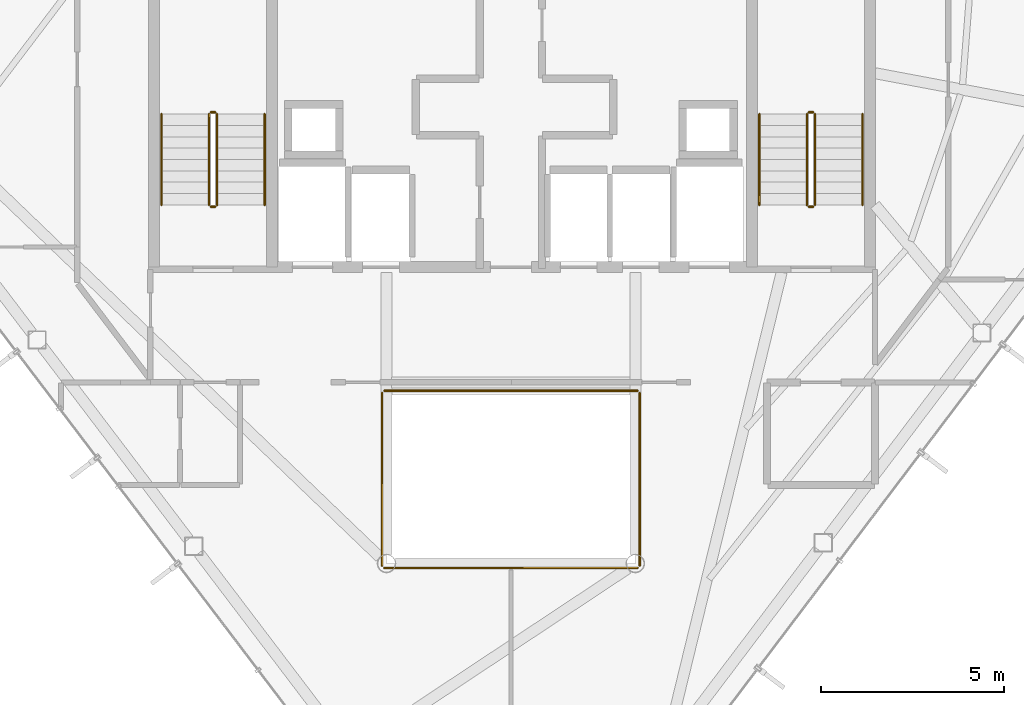
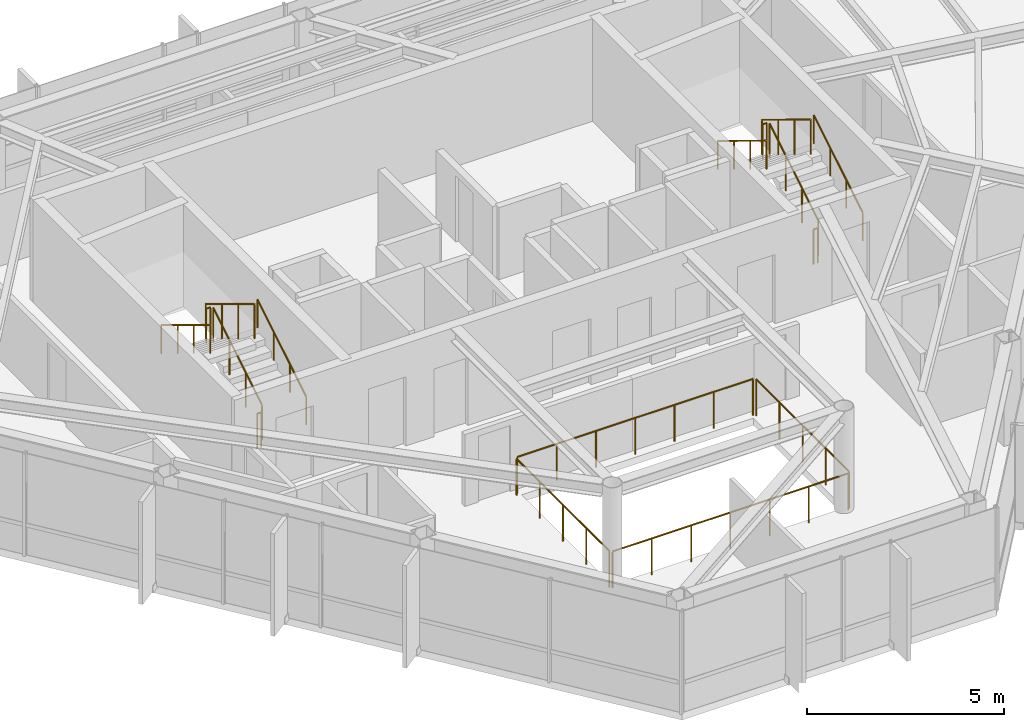
# One storey, part 24 of 24: 16 railings.
"""IFC4 building model written with IfcOpenShell, lengths in metres."""

from ifc_helpers import new_model, si_unit, direction, frame, origin, origin_2d, place, context, subcontext, project, spatial, circle, extrude, material, type_object, element, save


model = new_model("IFC4")

# Units and contexts
model_context = context("Model", 3, precision=1e-05, world=origin(), true_north=direction((0.0, 1.0)))
body_context = subcontext(model_context, "Body", "Model", "MODEL_VIEW")
ifc_project = project(units=[si_unit("LENGTHUNIT", "METRE"), si_unit("AREAUNIT", "SQUARE_METRE"), si_unit("VOLUMEUNIT", "CUBIC_METRE"), si_unit("PLANEANGLEUNIT", "RADIAN"), si_unit("MASSUNIT", "GRAM", prefix="KILO")], contexts=[model_context])

# Site, building, storey
site_placement = place(None, origin())
site = spatial("IfcSite", under=ifc_project, at=site_placement, CompositionType="ELEMENT")
building_placement = place(site_placement, origin())
building = spatial("IfcBuilding", under=site, at=building_placement, Name="Zarrinselat Tower", CompositionType="ELEMENT")
storey_placement = place(building_placement, frame((0.0, 0.0, 272.0)))
storey = spatial("IfcBuildingStorey", under=building, at=storey_placement, Name="L69", CompositionType="ELEMENT", Elevation=272.0)

# Railings
ifc_material_1 = material(Name="Double Low-E Laminated Solar Glass", Category="glass")
railing_type_1 = type_object("IfcRailingType", Name="RLG-ATRIUM-BAL", PredefinedType="BALUSTRADE", material=ifc_material_1)
railing_1_placement = place(storey_placement, frame((34.93994140625, 25.080078125, 0.0)))
element("IfcRailing", 1, at=railing_1_placement, inside=storey, type_object=railing_type_1, Name="L69 Atrium Void Glass Balustrade S", PredefinedType="BALUSTRADE", context=body_context, shape_type="SweptSolid", body=[
    extrude(circle(Radius=0.02392578125, at=origin_2d()), frame((0.0, 0.0, 1.1259765625), z_axis=(1.0, 0.0, 0.0), x_axis=(0.0, 1.0, 0.0)), (0.0, 0.0, 1.0), 6.920166015625),
    extrude(circle(Radius=0.02099609375, at=origin_2d()), origin(), (0.0, 0.0, 1.0), 1.099853515625),
    extrude(circle(Radius=0.02099609375, at=origin_2d()), frame((1.1533203125, 0.0, 0.0)), (0.0, 0.0, 1.0), 1.099853515625),
    extrude(circle(Radius=0.02099609375, at=origin_2d()), frame((2.306640625, 0.0, 0.0)), (0.0, 0.0, 1.0), 1.099853515625),
    extrude(circle(Radius=0.02099609375, at=origin_2d()), frame((3.4599609375, 0.0, 0.0)), (0.0, 0.0, 1.0), 1.099853515625),
    extrude(circle(Radius=0.02099609375, at=origin_2d()), frame((4.613525390625, 0.0, 0.0)), (0.0, 0.0, 1.0), 1.099853515625),
    extrude(circle(Radius=0.02099609375, at=origin_2d()), frame((5.766845703125, 0.0, 0.0)), (0.0, 0.0, 1.0), 1.099853515625),
    extrude(circle(Radius=0.02099609375, at=origin_2d()), frame((6.920166015625, 0.0, 0.0)), (0.0, 0.0, 1.0), 1.099853515625),
])
railing_2_placement = place(storey_placement, frame((41.919921875, 25.139892578125, 0.0)))
element("IfcRailing", 2, at=railing_2_placement, inside=storey, type_object=railing_type_1, Name="L69 Atrium Void Glass Balustrade E", PredefinedType="BALUSTRADE", context=body_context, shape_type="SweptSolid", body=[
    extrude(circle(Radius=0.02392578125, at=origin_2d()), frame((0.0, 0.0, 1.1259765625), z_axis=(0.0, 1.0, 0.0), x_axis=(-1.0, 0.0, 0.0)), (0.0, 0.0, 1.0), 4.72021484375),
    extrude(circle(Radius=0.02099609375, at=origin_2d()), origin(), (0.0, 0.0, 1.0), 1.099853515625),
    extrude(circle(Radius=0.02099609375, at=origin_2d()), frame((0.0, 1.18017578125, 0.0)), (0.0, 0.0, 1.0), 1.099853515625),
    extrude(circle(Radius=0.02099609375, at=origin_2d()), frame((0.0, 2.360107421875, 0.0)), (0.0, 0.0, 1.0), 1.099853515625),
    extrude(circle(Radius=0.02099609375, at=origin_2d()), frame((0.0, 3.5400390625, 0.0)), (0.0, 0.0, 1.0), 1.099853515625),
    extrude(circle(Radius=0.02099609375, at=origin_2d()), frame((0.0, 4.72021484375, 0.0)), (0.0, 0.0, 1.0), 1.099853515625),
])
railing_3_placement = place(storey_placement, frame((41.860107421875, 29.919921875, 0.0)))
element("IfcRailing", 3, at=railing_3_placement, inside=storey, type_object=railing_type_1, Name="L69 Atrium Void Glass Balustrade N", PredefinedType="BALUSTRADE", context=body_context, shape_type="SweptSolid", body=[
    extrude(circle(Radius=0.02392578125, at=origin_2d()), frame((0.0, 0.0, 1.1259765625), z_axis=(-1.0, 0.0, 0.0), x_axis=(0.0, -1.0, 0.0)), (0.0, 0.0, 1.0), 6.920166015625),
    extrude(circle(Radius=0.02099609375, at=origin_2d()), origin(), (0.0, 0.0, 1.0), 1.099853515625),
    extrude(circle(Radius=0.02099609375, at=origin_2d()), frame((-1.1533203125, 0.0, 0.0)), (0.0, 0.0, 1.0), 1.099853515625),
    extrude(circle(Radius=0.02099609375, at=origin_2d()), frame((-2.306640625, 0.0, 0.0)), (0.0, 0.0, 1.0), 1.099853515625),
    extrude(circle(Radius=0.02099609375, at=origin_2d()), frame((-3.4599609375, 0.0, 0.0)), (0.0, 0.0, 1.0), 1.099853515625),
    extrude(circle(Radius=0.02099609375, at=origin_2d()), frame((-4.613525390625, 0.0, 0.0)), (0.0, 0.0, 1.0), 1.099853515625),
    extrude(circle(Radius=0.02099609375, at=origin_2d()), frame((-5.766845703125, 0.0, 0.0)), (0.0, 0.0, 1.0), 1.099853515625),
    extrude(circle(Radius=0.02099609375, at=origin_2d()), frame((-6.920166015625, 0.0, 0.0)), (0.0, 0.0, 1.0), 1.099853515625),
])
railing_4_placement = place(storey_placement, frame((34.8798828125, 29.860107421875, 0.0)))
element("IfcRailing", 4, at=railing_4_placement, inside=storey, type_object=railing_type_1, Name="L69 Atrium Void Glass Balustrade W", PredefinedType="BALUSTRADE", context=body_context, shape_type="SweptSolid", body=[
    extrude(circle(Radius=0.02392578125, at=origin_2d()), frame((0.0, 0.0, 1.1259765625), z_axis=(0.0, -1.0, 0.0), x_axis=(1.0, 0.0, 0.0)), (0.0, 0.0, 1.0), 4.72021484375),
    extrude(circle(Radius=0.02099609375, at=origin_2d()), origin(), (0.0, 0.0, 1.0), 1.099853515625),
    extrude(circle(Radius=0.02099609375, at=origin_2d()), frame((0.0, -1.18017578125, 0.0)), (0.0, 0.0, 1.0), 1.099853515625),
    extrude(circle(Radius=0.02099609375, at=origin_2d()), frame((0.0, -2.360107421875, 0.0)), (0.0, 0.0, 1.0), 1.099853515625),
    extrude(circle(Radius=0.02099609375, at=origin_2d()), frame((0.0, -3.5400390625, 0.0)), (0.0, 0.0, 1.0), 1.099853515625),
    extrude(circle(Radius=0.02099609375, at=origin_2d()), frame((0.0, -4.72021484375, 0.0)), (0.0, 0.0, 1.0), 1.099853515625),
])
ifc_material_2 = material(Name="Steel S355J2", Category="steel")
railing_type_2 = type_object("IfcRailingType", Name="RLG-STAIR-GUARD", PredefinedType="GUARDRAIL", material=ifc_material_2)
railing_5_placement = place(storey_placement, frame((30.3701171875, 35.0, 0.18896484375)))
element("IfcRailing", 5, at=railing_5_placement, inside=storey, type_object=railing_type_2, Name="L69 ST-1 stair guard 1", PredefinedType="GUARDRAIL", context=body_context, shape_type="SweptSolid", body=[
    extrude(circle(Radius=0.02392578125, at=origin_2d()), frame((0.0, 0.0, 1.076171875), z_axis=(0.0, 0.8539793189, 0.520306950647), x_axis=(-1.0, 0.0, 0.0)), (0.0, 0.0, 1.0), 2.904052734375),
    extrude(circle(Radius=0.02099609375, at=origin_2d()), origin(), (0.0, 0.0, 1.0), 1.050048828125),
    extrude(circle(Radius=0.02099609375, at=origin_2d()), frame((0.0, 0.82666015625, 0.503662109375)), (0.0, 0.0, 1.0), 1.050048828125),
    extrude(circle(Radius=0.02099609375, at=origin_2d()), frame((0.0, 1.6533203125, 1.00732421875)), (0.0, 0.0, 1.0), 1.050048828125),
    extrude(circle(Radius=0.02099609375, at=origin_2d()), frame((0.0, 2.47998046875, 1.510986328125)), (0.0, 0.0, 1.0), 1.050048828125),
])
railing_6_placement = place(storey_placement, frame((30.320068359375, 37.530029296875, 1.699951171875)))
element("IfcRailing", 6, at=railing_6_placement, inside=storey, type_object=railing_type_2, Name="L69 ST-1 stair guard 2", PredefinedType="GUARDRAIL", context=body_context, shape_type="SweptSolid", body=[
    extrude(circle(Radius=0.02392578125, at=origin_2d()), frame((0.0, 0.0, 1.076171875), z_axis=(-1.0, 0.0, 0.0), x_axis=(0.0, -1.0, 0.0)), (0.0, 0.0, 1.0), 0.1201171875),
    extrude(circle(Radius=0.02099609375, at=origin_2d()), origin(), (0.0, 0.0, 1.0), 1.050048828125),
    extrude(circle(Radius=0.02099609375, at=origin_2d()), frame((-0.1201171875, 0.0, 0.0)), (0.0, 0.0, 1.0), 1.050048828125),
])
railing_7_placement = place(storey_placement, frame((30.14990234375, 37.47998046875, 1.888916015625)))
element("IfcRailing", 7, at=railing_7_placement, inside=storey, type_object=railing_type_2, Name="L69 ST-1 stair guard 3", PredefinedType="GUARDRAIL", context=body_context, shape_type="SweptSolid", body=[
    extrude(circle(Radius=0.02392578125, at=origin_2d()), frame((0.0, 0.0, 1.076171875), z_axis=(0.0, -0.8539793189, 0.520306950647), x_axis=(1.0, 0.0, 0.0)), (0.0, 0.0, 1.0), 2.904052734375),
    extrude(circle(Radius=0.02099609375, at=origin_2d()), origin(), (0.0, 0.0, 1.0), 1.050048828125),
    extrude(circle(Radius=0.02099609375, at=origin_2d()), frame((0.0, -0.82666015625, 0.503662109375)), (0.0, 0.0, 1.0), 1.050048828125),
    extrude(circle(Radius=0.02099609375, at=origin_2d()), frame((0.0, -1.6533203125, 1.00732421875)), (0.0, 0.0, 1.0), 1.050048828125),
    extrude(circle(Radius=0.02099609375, at=origin_2d()), frame((0.0, -2.47998046875, 1.510986328125)), (0.0, 0.0, 1.0), 1.050048828125),
])
railing_8_placement = place(storey_placement, frame((30.320068359375, 34.949951171875, 0.0)))
element("IfcRailing", 8, at=railing_8_placement, inside=storey, type_object=railing_type_2, Name="L69 ST-1 stair guard 4", PredefinedType="GUARDRAIL", context=body_context, shape_type="SweptSolid", body=[
    extrude(circle(Radius=0.02392578125, at=origin_2d()), frame((0.0, 0.0, 1.076171875), z_axis=(-1.0, 0.0, 0.0), x_axis=(0.0, -1.0, 0.0)), (0.0, 0.0, 1.0), 0.1201171875),
    extrude(circle(Radius=0.02099609375, at=origin_2d()), origin(), (0.0, 0.0, 1.0), 1.050048828125),
    extrude(circle(Radius=0.02099609375, at=origin_2d()), frame((-0.1201171875, 0.0, 0.0)), (0.0, 0.0, 1.0), 1.050048828125),
])
railing_9_placement = place(storey_placement, frame((46.7099609375, 35.0, 0.18896484375)))
element("IfcRailing", 9, at=railing_9_placement, inside=storey, type_object=railing_type_2, Name="L69 ST-2 stair guard 1", PredefinedType="GUARDRAIL", context=body_context, shape_type="SweptSolid", body=[
    extrude(circle(Radius=0.02392578125, at=origin_2d()), frame((0.0, 0.0, 1.076171875), z_axis=(0.0, 0.8539793189, 0.520306950647), x_axis=(-1.0, 0.0, 0.0)), (0.0, 0.0, 1.0), 2.904052734375),
    extrude(circle(Radius=0.02099609375, at=origin_2d()), origin(), (0.0, 0.0, 1.0), 1.050048828125),
    extrude(circle(Radius=0.02099609375, at=origin_2d()), frame((0.0, 0.82666015625, 0.503662109375)), (0.0, 0.0, 1.0), 1.050048828125),
    extrude(circle(Radius=0.02099609375, at=origin_2d()), frame((0.0, 1.6533203125, 1.00732421875)), (0.0, 0.0, 1.0), 1.050048828125),
    extrude(circle(Radius=0.02099609375, at=origin_2d()), frame((0.0, 2.47998046875, 1.510986328125)), (0.0, 0.0, 1.0), 1.050048828125),
])
railing_10_placement = place(storey_placement, frame((46.659912109375, 37.530029296875, 1.699951171875)))
element("IfcRailing", 10, at=railing_10_placement, inside=storey, type_object=railing_type_2, Name="L69 ST-2 stair guard 2", PredefinedType="GUARDRAIL", context=body_context, shape_type="SweptSolid", body=[
    extrude(circle(Radius=0.02392578125, at=origin_2d()), frame((0.0, 0.0, 1.076171875), z_axis=(-1.0, 0.0, 0.0), x_axis=(0.0, -1.0, 0.0)), (0.0, 0.0, 1.0), 0.119873046875),
    extrude(circle(Radius=0.02099609375, at=origin_2d()), origin(), (0.0, 0.0, 1.0), 1.050048828125),
    extrude(circle(Radius=0.02099609375, at=origin_2d()), frame((-0.119873046875, 0.0, 0.0)), (0.0, 0.0, 1.0), 1.050048828125),
])
railing_11_placement = place(storey_placement, frame((46.489990234375, 37.47998046875, 1.888916015625)))
element("IfcRailing", 11, at=railing_11_placement, inside=storey, type_object=railing_type_2, Name="L69 ST-2 stair guard 3", PredefinedType="GUARDRAIL", context=body_context, shape_type="SweptSolid", body=[
    extrude(circle(Radius=0.02392578125, at=origin_2d()), frame((0.0, 0.0, 1.076171875), z_axis=(0.0, -0.8539793189, 0.520306950647), x_axis=(1.0, 0.0, 0.0)), (0.0, 0.0, 1.0), 2.904052734375),
    extrude(circle(Radius=0.02099609375, at=origin_2d()), origin(), (0.0, 0.0, 1.0), 1.050048828125),
    extrude(circle(Radius=0.02099609375, at=origin_2d()), frame((0.0, -0.82666015625, 0.503662109375)), (0.0, 0.0, 1.0), 1.050048828125),
    extrude(circle(Radius=0.02099609375, at=origin_2d()), frame((0.0, -1.6533203125, 1.00732421875)), (0.0, 0.0, 1.0), 1.050048828125),
    extrude(circle(Radius=0.02099609375, at=origin_2d()), frame((0.0, -2.47998046875, 1.510986328125)), (0.0, 0.0, 1.0), 1.050048828125),
])
railing_12_placement = place(storey_placement, frame((46.659912109375, 34.949951171875, 0.0)))
element("IfcRailing", 12, at=railing_12_placement, inside=storey, type_object=railing_type_2, Name="L69 ST-2 stair guard 4", PredefinedType="GUARDRAIL", context=body_context, shape_type="SweptSolid", body=[
    extrude(circle(Radius=0.02392578125, at=origin_2d()), frame((0.0, 0.0, 1.076171875), z_axis=(-1.0, 0.0, 0.0), x_axis=(0.0, -1.0, 0.0)), (0.0, 0.0, 1.0), 0.119873046875),
    extrude(circle(Radius=0.02099609375, at=origin_2d()), origin(), (0.0, 0.0, 1.0), 1.050048828125),
    extrude(circle(Radius=0.02099609375, at=origin_2d()), frame((-0.119873046875, 0.0, 0.0)), (0.0, 0.0, 1.0), 1.050048828125),
])
ifc_material_3 = material(Name="Steel S355J2", Category="steel")
railing_type_3 = type_object("IfcRailingType", Name="RLG-STAIR-HAND", PredefinedType="HANDRAIL", material=ifc_material_3)
railing_13_placement = place(storey_placement, frame((31.669921875, 35.0, 0.18896484375)))
element("IfcRailing", 13, at=railing_13_placement, inside=storey, type_object=railing_type_3, Name="L69 ST-1 stair handrail 1", PredefinedType="HANDRAIL", context=body_context, shape_type="SweptSolid", body=[
    extrude(circle(Radius=0.02392578125, at=origin_2d()), frame((0.0, 0.0, 0.8759765625), z_axis=(0.0, 0.8539793189, 0.520306950647), x_axis=(-1.0, 0.0, 0.0)), (0.0, 0.0, 1.0), 2.904052734375),
    extrude(circle(Radius=0.02099609375, at=origin_2d()), origin(), (0.0, 0.0, 1.0), 0.849853515625),
    extrude(circle(Radius=0.02099609375, at=origin_2d()), frame((0.0, 0.82666015625, 0.503662109375)), (0.0, 0.0, 1.0), 0.849853515625),
    extrude(circle(Radius=0.02099609375, at=origin_2d()), frame((0.0, 1.6533203125, 1.00732421875)), (0.0, 0.0, 1.0), 0.849853515625),
    extrude(circle(Radius=0.02099609375, at=origin_2d()), frame((0.0, 2.47998046875, 1.510986328125)), (0.0, 0.0, 1.0), 0.849853515625),
])
railing_14_placement = place(storey_placement, frame((28.85009765625, 37.47998046875, 1.888916015625)))
element("IfcRailing", 14, at=railing_14_placement, inside=storey, type_object=railing_type_3, Name="L69 ST-1 stair handrail 2", PredefinedType="HANDRAIL", context=body_context, shape_type="SweptSolid", body=[
    extrude(circle(Radius=0.02392578125, at=origin_2d()), frame((0.0, 0.0, 0.8759765625), z_axis=(0.0, -0.8539793189, 0.520306950647), x_axis=(1.0, 0.0, 0.0)), (0.0, 0.0, 1.0), 2.904052734375),
    extrude(circle(Radius=0.02099609375, at=origin_2d()), origin(), (0.0, 0.0, 1.0), 0.849853515625),
    extrude(circle(Radius=0.02099609375, at=origin_2d()), frame((0.0, -0.82666015625, 0.503662109375)), (0.0, 0.0, 1.0), 0.849853515625),
    extrude(circle(Radius=0.02099609375, at=origin_2d()), frame((0.0, -1.6533203125, 1.00732421875)), (0.0, 0.0, 1.0), 0.849853515625),
    extrude(circle(Radius=0.02099609375, at=origin_2d()), frame((0.0, -2.47998046875, 1.510986328125)), (0.0, 0.0, 1.0), 0.849853515625),
])
railing_15_placement = place(storey_placement, frame((48.010009765625, 35.0, 0.18896484375)))
element("IfcRailing", 15, at=railing_15_placement, inside=storey, type_object=railing_type_3, Name="L69 ST-2 stair handrail 1", PredefinedType="HANDRAIL", context=body_context, shape_type="SweptSolid", body=[
    extrude(circle(Radius=0.02392578125, at=origin_2d()), frame((0.0, 0.0, 0.8759765625), z_axis=(0.0, 0.8539793189, 0.520306950647), x_axis=(-1.0, 0.0, 0.0)), (0.0, 0.0, 1.0), 2.904052734375),
    extrude(circle(Radius=0.02099609375, at=origin_2d()), origin(), (0.0, 0.0, 1.0), 0.849853515625),
    extrude(circle(Radius=0.02099609375, at=origin_2d()), frame((0.0, 0.82666015625, 0.503662109375)), (0.0, 0.0, 1.0), 0.849853515625),
    extrude(circle(Radius=0.02099609375, at=origin_2d()), frame((0.0, 1.6533203125, 1.00732421875)), (0.0, 0.0, 1.0), 0.849853515625),
    extrude(circle(Radius=0.02099609375, at=origin_2d()), frame((0.0, 2.47998046875, 1.510986328125)), (0.0, 0.0, 1.0), 0.849853515625),
])
railing_16_placement = place(storey_placement, frame((45.18994140625, 37.47998046875, 1.888916015625)))
element("IfcRailing", 16, at=railing_16_placement, inside=storey, type_object=railing_type_3, Name="L69 ST-2 stair handrail 2", PredefinedType="HANDRAIL", context=body_context, shape_type="SweptSolid", body=[
    extrude(circle(Radius=0.02392578125, at=origin_2d()), frame((0.0, 0.0, 0.8759765625), z_axis=(0.0, -0.8539793189, 0.520306950647), x_axis=(1.0, 0.0, 0.0)), (0.0, 0.0, 1.0), 2.904052734375),
    extrude(circle(Radius=0.02099609375, at=origin_2d()), origin(), (0.0, 0.0, 1.0), 0.849853515625),
    extrude(circle(Radius=0.02099609375, at=origin_2d()), frame((0.0, -0.82666015625, 0.503662109375)), (0.0, 0.0, 1.0), 0.849853515625),
    extrude(circle(Radius=0.02099609375, at=origin_2d()), frame((0.0, -1.6533203125, 1.00732421875)), (0.0, 0.0, 1.0), 0.849853515625),
    extrude(circle(Radius=0.02099609375, at=origin_2d()), frame((0.0, -2.47998046875, 1.510986328125)), (0.0, 0.0, 1.0), 0.849853515625),
])

save(model, "model.ifc")
